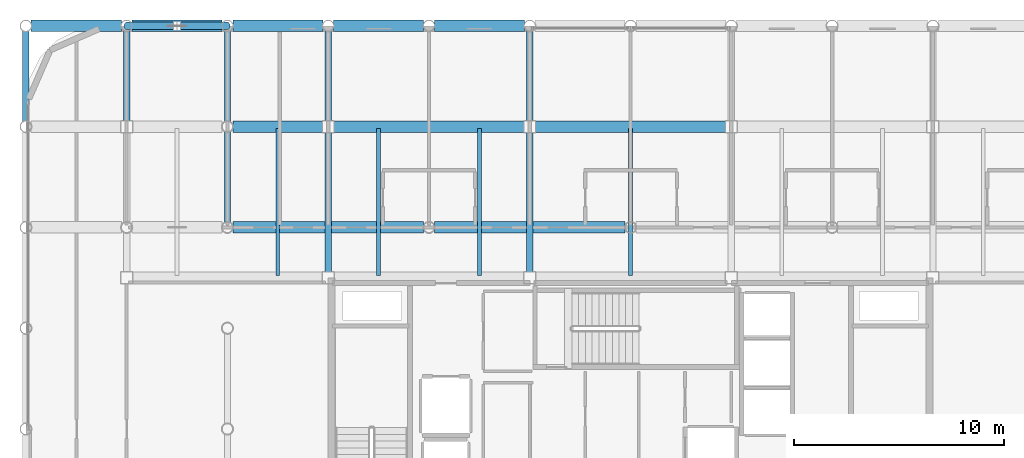
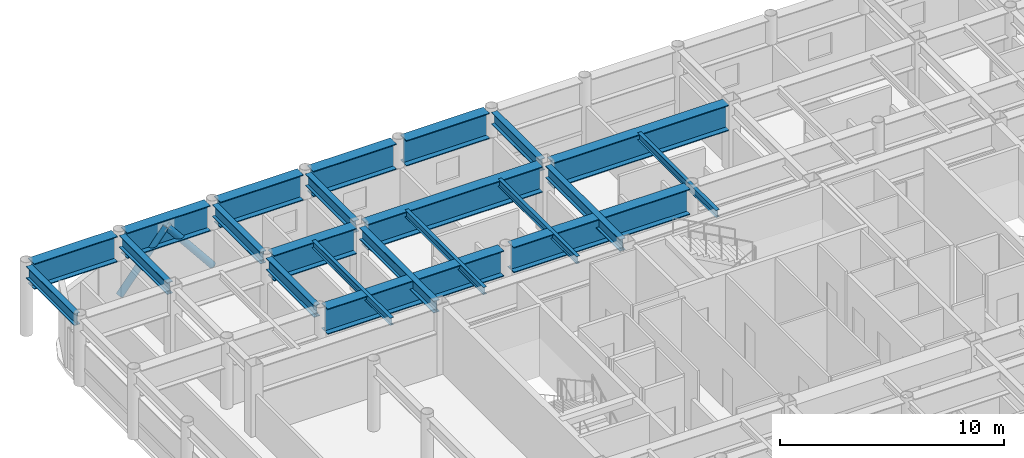
# One storey, part 12 of 22: 22 beams, 2 members.
"""IFC4 building model written with IfcOpenShell, lengths in metres."""

from ifc_helpers import new_model, si_unit, direction, frame, origin, origin_2d, place, context, subcontext, project, spatial, hollow_circle, i_section, extrude, material, material_profile, profile_set, type_object, element, save


model = new_model("IFC4")

# Units and contexts
model_context = context("Model", 3, precision=1e-05, world=origin(), true_north=direction((0.0, 1.0)))
body_context = subcontext(model_context, "Body", "Model", "MODEL_VIEW")
ifc_project = project(units=[si_unit("LENGTHUNIT", "METRE"), si_unit("AREAUNIT", "SQUARE_METRE"), si_unit("VOLUMEUNIT", "CUBIC_METRE"), si_unit("PLANEANGLEUNIT", "RADIAN"), si_unit("MASSUNIT", "GRAM", prefix="KILO")], contexts=[model_context])

# Site, building, storey
site_placement = place(None, origin())
site = spatial("IfcSite", under=ifc_project, at=site_placement, CompositionType="ELEMENT")
building_placement = place(site_placement, origin())
building = spatial("IfcBuilding", under=site, at=building_placement, Name="Kallvorn Hotel Tower", CompositionType="ELEMENT")
storey_placement = place(building_placement, frame((0.0, 0.0, 191.5)))
storey = spatial("IfcBuildingStorey", under=building, at=storey_placement, Name="L47", CompositionType="ELEMENT", Elevation=191.5)

# Beams
ifc_material_1 = material(Name="Structural steel S355JR", Category="steel")
ifc_material_profile_1 = material_profile(ifc_material_1, i_section(OverallWidth=0.300048828125, OverallDepth=0.64990234375, WebThickness=0.01611328125, FlangeThickness=0.031005859375, at=origin_2d()), Name="HE 650 B")
ifc_profile_set_1 = profile_set([ifc_material_profile_1], Name="Structural steel S355JR")
beam_type_1 = type_object("IfcBeamType", Name="BM_HE650B", PredefinedType="BEAM", material=ifc_profile_set_1)
beam_1_placement = place(storey_placement, frame((-28.800048828125, 14.654541015625, 3.344970703125), z_axis=(0.0, 1.0, 0.0), x_axis=(-1.0, 0.0, 0.0)))
element("IfcBeam", 1, at=beam_1_placement, inside=storey, type_object=beam_type_1, Name="L48 Primary Y-Girder 80", PredefinedType="BEAM", context=body_context, shape_type="SweptSolid", body=[
    extrude(i_section(OverallWidth=0.300048828125, OverallDepth=0.64990234375, WebThickness=0.01611328125, FlangeThickness=0.031005859375, at=origin_2d()), origin(), (0.0, 0.0, 1.0), 4.291015625),
])
beam_2_placement = place(storey_placement, frame((-24.0, 14.675048828125, 3.344970703125), z_axis=(0.0, 1.0, 0.0), x_axis=(-1.0, 0.0, 0.0)))
element("IfcBeam", 2, at=beam_2_placement, inside=storey, type_object=beam_type_1, Name="L48 Primary Y-Girder 87", PredefinedType="BEAM", context=body_context, shape_type="SweptSolid", body=[
    extrude(i_section(OverallWidth=0.300048828125, OverallDepth=0.64990234375, WebThickness=0.01611328125, FlangeThickness=0.031005859375, at=origin_2d()), origin(), (0.0, 0.0, 1.0), 4.2705078125),
])
for number, where, z_axis, x_axis, name in (
    (3, (-19.199951171875, 9.8544921875, 3.344970703125), (0.0, 1.0, 0.0), (-1.0, 0.0, 0.0), "L48 Primary Y-Girder 95"),
    (4, (-19.199951171875, 14.654541015625, 3.344970703125), (0.0, 1.0, 0.0), (-1.0, 0.0, 0.0), "L48 Primary Y-Girder 96"),
):
    element("IfcBeam", number, at=place(storey_placement, frame(where, z_axis=z_axis, x_axis=x_axis)), inside=storey, type_object=beam_type_1, Name=name, PredefinedType="BEAM", context=body_context, shape_type="SweptSolid", body=[
        extrude(i_section(OverallWidth=0.300048828125, OverallDepth=0.64990234375, WebThickness=0.01611328125, FlangeThickness=0.031005859375, at=origin_2d()), origin(), (0.0, 0.0, 1.0), 4.291015625),
    ])
beam_3_placement = place(storey_placement, frame((-14.39990234375, 7.47509765625, 3.344970703125), z_axis=(0.0, 1.0, 0.0), x_axis=(-1.0, 0.0, 0.0)))
element("IfcBeam", 5, at=beam_3_placement, inside=storey, type_object=beam_type_1, Name="L48 Primary Y-Girder 100", PredefinedType="BEAM", context=body_context, shape_type="SweptSolid", body=[
    extrude(i_section(OverallWidth=0.300048828125, OverallDepth=0.64990234375, WebThickness=0.01611328125, FlangeThickness=0.031005859375, at=origin_2d()), origin(), (0.0, 0.0, 1.0), 6.64990234375),
])
beam_4_placement = place(storey_placement, frame((-14.39990234375, 14.675048828125, 3.344970703125), z_axis=(0.0, 1.0, 0.0), x_axis=(-1.0, 0.0, 0.0)))
element("IfcBeam", 6, at=beam_4_placement, inside=storey, type_object=beam_type_1, Name="L48 Primary Y-Girder 101", PredefinedType="BEAM", context=body_context, shape_type="SweptSolid", body=[
    extrude(i_section(OverallWidth=0.300048828125, OverallDepth=0.64990234375, WebThickness=0.01611328125, FlangeThickness=0.031005859375, at=origin_2d()), origin(), (0.0, 0.0, 1.0), 4.2705078125),
])
beam_5_placement = place(storey_placement, frame((-4.800048828125, 7.47509765625, 3.344970703125), z_axis=(0.0, 1.0, 0.0), x_axis=(-1.0, 0.0, 0.0)))
element("IfcBeam", 7, at=beam_5_placement, inside=storey, type_object=beam_type_1, Name="L48 Primary Y-Girder 108", PredefinedType="BEAM", context=body_context, shape_type="SweptSolid", body=[
    extrude(i_section(OverallWidth=0.300048828125, OverallDepth=0.64990234375, WebThickness=0.01611328125, FlangeThickness=0.031005859375, at=origin_2d()), origin(), (0.0, 0.0, 1.0), 6.64990234375),
])
beam_6_placement = place(storey_placement, frame((-4.800048828125, 14.675048828125, 3.344970703125), z_axis=(0.0, 1.0, 0.0), x_axis=(-1.0, 0.0, 0.0)))
element("IfcBeam", 8, at=beam_6_placement, inside=storey, type_object=beam_type_1, Name="L48 Primary Y-Girder 109", PredefinedType="BEAM", context=body_context, shape_type="SweptSolid", body=[
    extrude(i_section(OverallWidth=0.300048828125, OverallDepth=0.64990234375, WebThickness=0.01611328125, FlangeThickness=0.031005859375, at=origin_2d()), origin(), (0.0, 0.0, 1.0), 4.2705078125),
])
ifc_material_2 = material(Name="Structural steel S355JR", Category="steel")
ifc_material_profile_2 = material_profile(ifc_material_2, i_section(OverallWidth=0.179931640625, OverallDepth=0.39990234375, WebThickness=0.008544921875, FlangeThickness=0.013427734375, at=origin_2d()), Name="IPE 400")
ifc_profile_set_2 = profile_set([ifc_material_profile_2], Name="Structural steel S355JR")
beam_type_2 = type_object("IfcBeamType", Name="BM_IPE400", PredefinedType="JOIST", material=ifc_profile_set_2)
for number, where, z_axis, x_axis, name in (
    (9, (-16.800048828125, 7.300048828125, 3.469970703125), (0.0, 1.0, 0.0), (-1.0, 0.0, 0.0), "L48 Secondary Composite Joist 195"),
    (10, (-12.0, 7.300048828125, 3.469970703125), (0.0, 1.0, 0.0), (-1.0, 0.0, 0.0), "L48 Secondary Composite Joist 197"),
    (11, (-7.199951171875, 7.300048828125, 3.469970703125), (0.0, 1.0, 0.0), (-1.0, 0.0, 0.0), "L48 Secondary Composite Joist 199"),
    (12, (0.0, 7.300048828125, 3.469970703125), (0.0, 1.0, 0.0), (-1.0, 0.0, 0.0), "L48 Secondary Composite Joist 201"),
):
    element("IfcBeam", number, at=place(storey_placement, frame(where, z_axis=z_axis, x_axis=x_axis)), inside=storey, type_object=beam_type_2, Name=name, PredefinedType="JOIST", context=body_context, shape_type="SweptSolid", body=[
        extrude(i_section(OverallWidth=0.179931640625, OverallDepth=0.39990234375, WebThickness=0.008544921875, FlangeThickness=0.013427734375, at=origin_2d()), origin(), (0.0, 0.0, 1.0), 7.0),
    ])
ifc_material_3 = material(Name="Structural steel S355JR", Category="steel")
ifc_material_profile_3 = material_profile(ifc_material_3, i_section(OverallWidth=0.550048828125, OverallDepth=1.39990234375, WebThickness=0.02490234375, FlangeThickness=0.044921875, at=origin_2d()), Name="PG 1400x550x25x45")
ifc_profile_set_3 = profile_set([ifc_material_profile_3], Name="Structural steel S355JR")
beam_type_3 = type_object("IfcBeamType", Name="BM_PG_1400", PredefinedType="BEAM", material=ifc_profile_set_3)
for number, where, z_axis, x_axis, name in (
    (13, (-18.945556640625, 9.60009765625, 2.969970703125), (1.0, 0.0, 0.0), (0.0, 1.0, 0.0), "L48 Primary X-Girder 44"),
    (14, (-9.345458984375, 9.60009765625, 2.969970703125), (1.0, 0.0, 0.0), (0.0, 1.0, 0.0), "L48 Primary X-Girder 45"),
):
    element("IfcBeam", number, at=place(storey_placement, frame(where, z_axis=z_axis, x_axis=x_axis)), inside=storey, type_object=beam_type_3, Name=name, PredefinedType="BEAM", context=body_context, shape_type="SweptSolid", body=[
        extrude(i_section(OverallWidth=0.550048828125, OverallDepth=1.39990234375, WebThickness=0.02490234375, FlangeThickness=0.044921875, at=origin_2d()), origin(), (0.0, 0.0, 1.0), 9.091064453125),
    ])
beam_7_placement = place(storey_placement, frame((-18.945556640625, 14.39990234375, 2.969970703125), z_axis=(1.0, 0.0, 0.0), x_axis=(0.0, 1.0, 0.0)))
element("IfcBeam", 15, at=beam_7_placement, inside=storey, type_object=beam_type_3, Name="L48 Primary X-Girder 53", PredefinedType="BEAM", context=body_context, shape_type="SweptSolid", body=[
    extrude(i_section(OverallWidth=0.550048828125, OverallDepth=1.39990234375, WebThickness=0.02490234375, FlangeThickness=0.044921875, at=origin_2d()), origin(), (0.0, 0.0, 1.0), 4.2705078125),
])
beam_8_placement = place(storey_placement, frame((-14.125, 14.39990234375, 2.969970703125), z_axis=(1.0, 0.0, 0.0), x_axis=(0.0, 1.0, 0.0)))
element("IfcBeam", 16, at=beam_8_placement, inside=storey, type_object=beam_type_3, Name="L48 Primary X-Girder 54", PredefinedType="BEAM", context=body_context, shape_type="SweptSolid", body=[
    extrude(i_section(OverallWidth=0.550048828125, OverallDepth=1.39990234375, WebThickness=0.02490234375, FlangeThickness=0.044921875, at=origin_2d()), origin(), (0.0, 0.0, 1.0), 9.050048828125),
])
beam_9_placement = place(storey_placement, frame((-4.52490234375, 14.39990234375, 2.969970703125), z_axis=(1.0, 0.0, 0.0), x_axis=(0.0, 1.0, 0.0)))
element("IfcBeam", 17, at=beam_9_placement, inside=storey, type_object=beam_type_3, Name="L48 Primary X-Girder 55", PredefinedType="BEAM", context=body_context, shape_type="SweptSolid", body=[
    extrude(i_section(OverallWidth=0.550048828125, OverallDepth=1.39990234375, WebThickness=0.02490234375, FlangeThickness=0.044921875, at=origin_2d()), origin(), (0.0, 0.0, 1.0), 9.0498046875),
])
for number, where, z_axis, x_axis, name in (
    (18, (-28.54541015625, 19.199951171875, 2.969970703125), (1.0, 0.0, 0.0), (0.0, 1.0, 0.0), "L48 Primary X-Girder 61"),
    (19, (-23.74560546875, 19.199951171875, 2.969970703125), (1.0, 0.0, 0.0), (0.0, 1.0, 0.0), "L48 Primary X-Girder 62"),
    (20, (-18.945556640625, 19.199951171875, 2.969970703125), (1.0, 0.0, 0.0), (0.0, 1.0, 0.0), "L48 Primary X-Girder 63"),
    (21, (-14.1455078125, 19.199951171875, 2.969970703125), (1.0, 0.0, 0.0), (0.0, 1.0, 0.0), "L48 Primary X-Girder 64"),
    (22, (-9.345458984375, 19.199951171875, 2.969970703125), (1.0, 0.0, 0.0), (0.0, 1.0, 0.0), "L48 Primary X-Girder 65"),
):
    element("IfcBeam", number, at=place(storey_placement, frame(where, z_axis=z_axis, x_axis=x_axis)), inside=storey, type_object=beam_type_3, Name=name, PredefinedType="BEAM", context=body_context, shape_type="SweptSolid", body=[
        extrude(i_section(OverallWidth=0.550048828125, OverallDepth=1.39990234375, WebThickness=0.02490234375, FlangeThickness=0.044921875, at=origin_2d()), origin(), (0.0, 0.0, 1.0), 4.291015625),
    ])

# Members
ifc_material_4 = material(Name="Structural steel S355J2H", Category="steel")
ifc_material_profile_4 = material_profile(ifc_material_4, hollow_circle(Radius=0.177734375, WallThickness=0.01416015625, at=origin_2d()), Name="CHS 355.6x14.2")
ifc_profile_set_4 = profile_set([ifc_material_profile_4], Name="Structural steel S355J2H")
member_type = type_object("IfcMemberType", Name="MBR_EXO_CHS355", PredefinedType="BRACE", material=ifc_profile_set_4)
for number, where, z_axis, x_axis, name in (
    (23, (-23.987548828125, 19.199951171875, 0.195556640625), (0.627270878626, 0.0, 0.778801158722), (0.0, 1.0, 0.0), "L47 Exoskeleton K-Brace N1A"),
    (24, (-19.21240234375, 19.199951171875, 0.195556640625), (-0.627270878626, 0.0, 0.778801158722), (0.0, -1.0, 0.0), "L47 Exoskeleton K-Brace N1B"),
):
    element("IfcMember", number, at=place(storey_placement, frame(where, z_axis=z_axis, x_axis=x_axis)), inside=storey, type_object=member_type, Name=name, PredefinedType="BRACE", context=body_context, shape_type="SweptSolid", body=[
        extrude(hollow_circle(Radius=0.177734375, WallThickness=0.01416015625, at=origin_2d()), origin(), (0.0, 0.0, 1.0), 3.7861328125),
    ])

save(model, "model.ifc")
